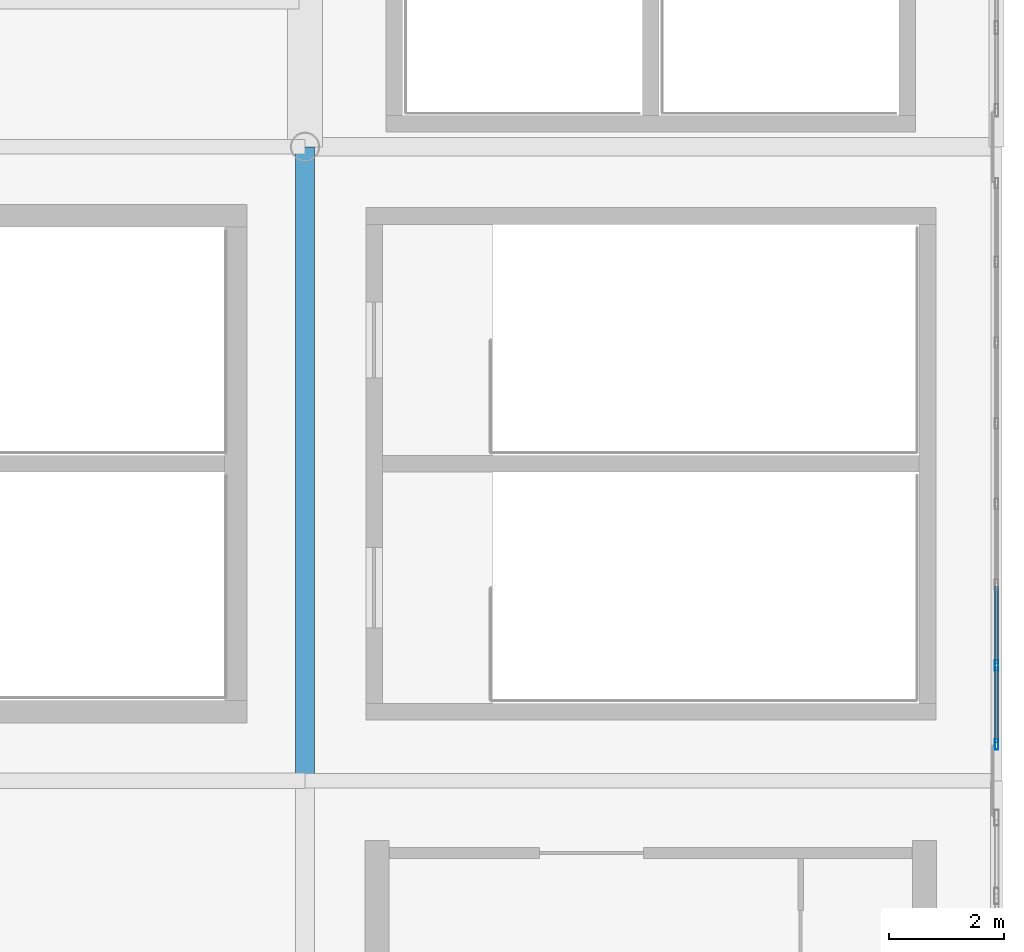
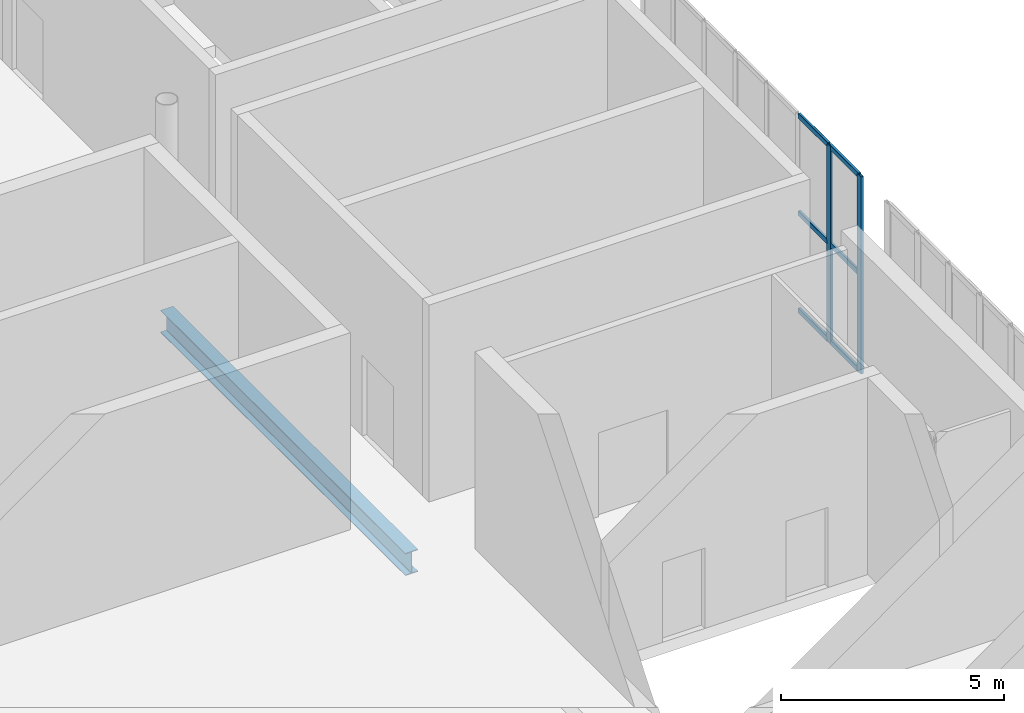
# One storey, part 38 of 74: 8 members, 1 beam, 1 element without a shape of its own.
"""IFC4 building model written with IfcOpenShell, lengths in metres."""

import ifcopenshell
import ifcopenshell.guid

model = None  # the IFC model being written
_history = None  # IfcOwnerHistory: only IFC2X3 demands one
_inside = {}  # id of a spatial element -> (the spatial element, [elements in it])
_under = {}  # id of a project, library or spatial element -> (it, [spatial elements below it])
_declared = {}  # id of a project -> (the project, [libraries it declares])
_typed = {}  # id of a type object -> (the type object, [elements of that type])
_made_of = {}  # id of a material, layer set ... -> (it, [elements and type objects made of it])


def new_model(schema):
    """Start an empty IFC model of exactly this schema.

    Asked for "IFC4X3", IfcOpenShell would pick the latest addendum, in which some entities
    have other attributes; the version numbers below select the first issue.
    IFC2X3 requires an IfcOwnerHistory on every rooted entity: one is made here for all.
    """
    global model, _history
    if schema == "IFC4X3":
        model = ifcopenshell.file(schema_version=(4, 3, 0, 0))
    else:
        model = ifcopenshell.file(schema=schema)
    _inside.clear()
    _under.clear()
    _declared.clear()
    _typed.clear()
    _made_of.clear()
    _history = None
    if model.schema == "IFC2X3":
        org = make("IfcOrganization", Name="unknown")
        user = make(
            "IfcPersonAndOrganization",
            ThePerson=make("IfcPerson", FamilyName="unknown"),
            TheOrganization=org,
        )
        app = make(
            "IfcApplication",
            ApplicationDeveloper=org,
            Version="unknown",
            ApplicationFullName="unknown",
            ApplicationIdentifier="unknown",
        )
        _history = make(
            "IfcOwnerHistory",
            OwningUser=user,
            OwningApplication=app,
            ChangeAction="ADDED",
            CreationDate=0,
        )
    return model


def make(cls, **values):
    """One entity of the class cls with the attributes given. An attribute that is None is left unset."""
    return model.create_entity(
        cls, **{name: value for name, value in values.items() if value is not None}
    )


def rooted(cls, **values):
    """An entity with a GlobalId (a new one), such as an element, a storey or a relation."""
    return make(cls, GlobalId=ifcopenshell.guid.new(), OwnerHistory=_history, **values)


def si_unit(unit_type, name, prefix=None):
    """IfcSIUnit, for example si_unit("LENGTHUNIT", "METRE", prefix="MILLI")."""
    return make("IfcSIUnit", UnitType=unit_type, Prefix=prefix, Name=name)


def assignment(units):
    """IfcUnitAssignment: the units of a project."""
    return None if units is None else make("IfcUnitAssignment", Units=units)


def point(xyz):
    """IfcCartesianPoint."""
    return None if xyz is None else make("IfcCartesianPoint", Coordinates=xyz)


def direction(xyz):
    """IfcDirection."""
    return None if xyz is None else make("IfcDirection", DirectionRatios=xyz)


def frame(location, z_axis=None, x_axis=None):
    """IfcAxis2Placement3D, a coordinate frame: its origin and axes. An axis left out is left unset."""
    return make(
        "IfcAxis2Placement3D",
        Location=point(location),
        Axis=direction(z_axis),
        RefDirection=direction(x_axis),
    )


def frame_2d(location, x_axis=None):
    """IfcAxis2Placement2D, a coordinate frame in the plane: its origin and x axis."""
    return make(
        "IfcAxis2Placement2D", Location=point(location), RefDirection=direction(x_axis)
    )


def origin():
    """The frame at (0, 0, 0) with its axes left unset."""
    return frame((0.0, 0.0, 0.0))


def origin_2d():
    """The frame at (0, 0) in the plane with its x axis left unset."""
    return frame_2d((0.0, 0.0))


def place(relative_to, where):
    """IfcLocalPlacement: puts the frame where relative to a parent placement (None: the world)."""
    return make(
        "IfcLocalPlacement", PlacementRelTo=relative_to, RelativePlacement=where
    )


def context(
    kind, dimensions, precision=None, world=None, true_north=None, identifier=None
):
    """IfcGeometricRepresentationContext, for example the 3D "Model" context."""
    return make(
        "IfcGeometricRepresentationContext",
        ContextIdentifier=identifier,
        ContextType=kind,
        CoordinateSpaceDimension=dimensions,
        Precision=precision,
        WorldCoordinateSystem=world,
        TrueNorth=true_north,
    )


def subcontext(parent, identifier, kind, view, scale=None):
    """IfcGeometricRepresentationSubContext, for example "Body" below "Model"."""
    return make(
        "IfcGeometricRepresentationSubContext",
        ContextIdentifier=identifier,
        ContextType=kind,
        ParentContext=parent,
        TargetScale=scale,
        TargetView=view,
    )


def project(units=None, contexts=None):
    """IfcProject with its units and contexts."""
    return rooted(
        "IfcProject",
        Name="project",
        RepresentationContexts=contexts,
        UnitsInContext=assignment(units),
    )


def spatial(cls, under=None, at=None, **own):
    """A site, building, storey or space (cls), placed at a placement, below another one or the project."""
    s = rooted(cls, ObjectPlacement=at, **own)
    if under is not None:
        _under.setdefault(under.id(), (under, []))[1].append(s)
    return s


def profile(cls, at=None, kind="AREA", **sizes):
    """A parametric profile (cls). Its sizes go by their IFC names, for example OverallWidth=200.0."""
    return make(cls, ProfileType=kind, Position=at, **sizes)


def hollow_rectangle(**sizes):
    """IfcRectangleHollowProfileDef."""
    return profile("IfcRectangleHollowProfileDef", **sizes)


def i_section(**sizes):
    """IfcIShapeProfileDef."""
    return profile("IfcIShapeProfileDef", **sizes)


def extrude(swept, where, along, depth):
    """IfcExtrudedAreaSolid: the profile swept, set in the frame where, extruded along a direction by depth."""
    return make(
        "IfcExtrudedAreaSolid",
        SweptArea=swept,
        Position=where,
        ExtrudedDirection=direction(along),
        Depth=depth,
    )


def shape(context_of_items, identifier, shape_type, items):
    """IfcShapeRepresentation: the items that make up one representation, for example the "Body"."""
    return make(
        "IfcShapeRepresentation",
        ContextOfItems=context_of_items,
        RepresentationIdentifier=identifier,
        RepresentationType=shape_type,
        Items=items,
    )


def material(Name=None, Category=None):
    """IfcMaterial."""
    return make("IfcMaterial", Name=Name, Category=Category)


def layer(
    of_material, thickness, ventilated=None, Name=None, Category=None, Priority=None
):
    """IfcMaterialLayer: one layer of a wall or slab, of a material (None: an air gap)."""
    return make(
        "IfcMaterialLayer",
        Material=of_material,
        LayerThickness=thickness,
        IsVentilated=ventilated,
        Name=Name,
        Category=Category,
        Priority=Priority,
    )


def layer_set(layers, Name=None):
    """IfcMaterialLayerSet."""
    return make("IfcMaterialLayerSet", MaterialLayers=layers, LayerSetName=Name)


def material_profile(
    of_material, cross_section, Name=None, Category=None, Priority=None
):
    """IfcMaterialProfile: a cross section and its material."""
    return make(
        "IfcMaterialProfile",
        Name=Name,
        Material=of_material,
        Profile=cross_section,
        Priority=Priority,
        Category=Category,
    )


def profile_set(profiles, Name=None, composite=None):
    """IfcMaterialProfileSet."""
    return make(
        "IfcMaterialProfileSet",
        Name=Name,
        MaterialProfiles=profiles,
        CompositeProfile=composite,
    )


def made_of(thing, what):
    """Note that an element or type object is made of a material, layer set ...; save() writes the relation."""
    if what is not None:
        _made_of.setdefault(what.id(), (what, []))[1].append(thing)
    return thing


def type_object(cls, material=None, **own):
    """A type object (cls), such as IfcWallType, which elements share."""
    return made_of(rooted(cls, **own), material)


def element(
    cls,
    number,
    at=None,
    inside=None,
    cuts=None,
    type_object=None,
    material=None,
    context=None,
    identifier="Body",
    shape_type=None,
    held_by="IfcProductDefinitionShape",
    body=None,
    shapes=None,
    **own,
):
    """One element of the class cls, such as IfcWall. Its Tag is "e" and its number.

    at: its placement. inside: the storey or other place that contains it. cuts: it is an
    opening in that element (IfcRelVoidsElement). A single representation is given by context,
    identifier, shape_type and body (its items); several are given by shapes. held_by: the class
    of the entity that holds the representations. save() writes the other relations.
    """
    e = rooted(cls, Tag="e%d" % number, ObjectPlacement=at, **own)
    if body is not None:
        shapes = [shape(context, identifier, shape_type, body)]
    if shapes is not None:
        e.Representation = make(held_by, Representations=shapes)
    if inside is not None:
        _inside.setdefault(inside.id(), (inside, []))[1].append(e)
    if cuts is not None:
        rooted(
            "IfcRelVoidsElement", RelatingBuildingElement=cuts, RelatedOpeningElement=e
        )
    if type_object is not None:
        _typed.setdefault(type_object.id(), (type_object, []))[1].append(e)
    return made_of(e, material)


def aggregate(whole, parts):
    """IfcRelAggregates: a whole, such as a stair, and the parts it consists of."""
    return rooted("IfcRelAggregates", RelatingObject=whole, RelatedObjects=parts)


def save(model, path):
    """Write the relations noted so far, then the file.

    IfcRelAggregates (storeys below a building ...), IfcRelContainedInSpatialStructure (elements
    in a storey), IfcRelDefinesByType, IfcRelAssociatesMaterial and IfcRelDeclares: one each for
    every whole, place, type object, material and project.
    """
    for whole, parts in _under.values():
        aggregate(whole, parts)
    for where, things in _inside.values():
        rooted(
            "IfcRelContainedInSpatialStructure",
            RelatedElements=things,
            RelatingStructure=where,
        )
    for kind, things in _typed.values():
        rooted("IfcRelDefinesByType", RelatedObjects=things, RelatingType=kind)
    for what, things in _made_of.values():
        rooted("IfcRelAssociatesMaterial", RelatedObjects=things, RelatingMaterial=what)
    for by, libraries in _declared.values():
        rooted("IfcRelDeclares", RelatingContext=by, RelatedDefinitions=libraries)
    model.write(path)


model = new_model("IFC4")

# Units and contexts
model_context = context("Model", 3, precision=1e-05, world=origin(), true_north=direction((0.0, 1.0)))
body_context = subcontext(model_context, "Body", "Model", "MODEL_VIEW")
ifc_project = project(units=[si_unit("LENGTHUNIT", "METRE"), si_unit("AREAUNIT", "SQUARE_METRE"), si_unit("VOLUMEUNIT", "CUBIC_METRE"), si_unit("PLANEANGLEUNIT", "RADIAN"), si_unit("MASSUNIT", "GRAM", prefix="KILO")], contexts=[model_context])

# Site, building, storey
site_placement = place(None, origin())
site = spatial("IfcSite", under=ifc_project, at=site_placement, CompositionType="ELEMENT")
building_placement = place(site_placement, origin())
building = spatial("IfcBuilding", under=site, at=building_placement, Name="Brinegate Civic Arena", CompositionType="ELEMENT")
storey_placement = place(building_placement, frame((0.0, 0.0, 19.199951171875)))
storey = spatial("IfcBuildingStorey", under=building, at=storey_placement, Name="L04", CompositionType="ELEMENT", Elevation=19.199951171875)

# Curtain wall, members
ifc_material_1 = material(Name="Marine grade aluminium", Category="aluminium")
ifc_layer = layer(ifc_material_1, 0.199951171875, Name="Marine grade aluminium")
ifc_layer_set = layer_set([ifc_layer], Name="Marine grade aluminium")
curtain_wall_type = type_object("IfcCurtainWallType", Name="CW-BOWL-GLAZED-01", PredefinedType="USERDEFINED", material=ifc_layer_set)
curtain_wall_placement = place(storey_placement, origin())
curtain_wall = element("IfcCurtainWall", 1, at=curtain_wall_placement, inside=storey, type_object=curtain_wall_type, Name="Curtain Wall CWA-142", ObjectType="GLAZED CURTAIN WALL", PredefinedType="USERDEFINED")
ifc_material_profile_1 = material_profile(ifc_material_1, hollow_rectangle(XDim=0.06494140625, YDim=0.179931640625, WallThickness=0.0048828125, InnerFilletRadius=0.00390625, OuterFilletRadius=0.008056640625, at=origin_2d()), Name="MUL65X180")
ifc_profile_set_1 = profile_set([ifc_material_profile_1], Name="Marine grade aluminium")
member_type_1 = type_object("IfcMemberType", Name="CW-MULLION-65X180", PredefinedType="MULLION", material=ifc_profile_set_1)
member_1_placement = place(storey_placement, frame((168.0, 93.632568359375, 0.0), z_axis=(0.0, 0.0, 1.0), x_axis=(-1.0, 0.0, 0.0)))
member_1 = element("IfcMember", 2, at=member_1_placement, type_object=member_type_1, Name="CWA-142 mullion 1", PredefinedType="MULLION", context=body_context, shape_type="SweptSolid", body=[
    extrude(hollow_rectangle(XDim=0.06494140625, YDim=0.179931640625, WallThickness=0.0048828125, InnerFilletRadius=0.00390625, OuterFilletRadius=0.008056640625, at=origin_2d()), origin(), (0.0, 0.0, 1.0), 5.400146484375),
])
member_2_placement = place(storey_placement, frame((168.0, 95.0, 0.0), z_axis=(0.0, 0.0, 1.0), x_axis=(-1.0, 0.0, 0.0)))
member_2 = element("IfcMember", 3, at=member_2_placement, type_object=member_type_1, Name="CWA-142 mullion 2", PredefinedType="MULLION", context=body_context, shape_type="SweptSolid", body=[
    extrude(hollow_rectangle(XDim=0.06494140625, YDim=0.179931640625, WallThickness=0.0048828125, InnerFilletRadius=0.00390625, OuterFilletRadius=0.008056640625, at=origin_2d()), origin(), (0.0, 0.0, 1.0), 5.400146484375),
])
ifc_material_profile_2 = material_profile(ifc_material_1, hollow_rectangle(XDim=0.06494140625, YDim=0.139892578125, WallThickness=0.0048828125, InnerFilletRadius=0.00390625, OuterFilletRadius=0.008056640625, at=origin_2d()), Name="TRN65X140")
ifc_profile_set_2 = profile_set([ifc_material_profile_2], Name="Marine grade aluminium")
member_type_2 = type_object("IfcMemberType", Name="CW-TRANSOM-65X140", PredefinedType="USERDEFINED", material=ifc_profile_set_2)
member_3_placement = place(storey_placement, frame((168.0, 93.6650390625, 0.032470703125), z_axis=(0.0, 1.0, 0.0), x_axis=(-1.0, 0.0, 0.0)))
member_3 = element("IfcMember", 4, at=member_3_placement, type_object=member_type_2, Name="CWA-142 transom 1.1", ObjectType="TRANSOM", PredefinedType="USERDEFINED", context=body_context, shape_type="SweptSolid", body=[
    extrude(hollow_rectangle(XDim=0.06494140625, YDim=0.139892578125, WallThickness=0.0048828125, InnerFilletRadius=0.00390625, OuterFilletRadius=0.008056640625, at=origin_2d()), origin(), (0.0, 0.0, 1.0), 1.302490234375),
])
member_4_placement = place(storey_placement, frame((168.0, 93.6650390625, 2.699951171875), z_axis=(0.0, 1.0, 0.0), x_axis=(-1.0, 0.0, 0.0)))
member_4 = element("IfcMember", 5, at=member_4_placement, type_object=member_type_2, Name="CWA-142 transom 1.2", ObjectType="TRANSOM", PredefinedType="USERDEFINED", context=body_context, shape_type="SweptSolid", body=[
    extrude(hollow_rectangle(XDim=0.06494140625, YDim=0.139892578125, WallThickness=0.0048828125, InnerFilletRadius=0.00390625, OuterFilletRadius=0.008056640625, at=origin_2d()), origin(), (0.0, 0.0, 1.0), 1.302490234375),
])
member_5_placement = place(storey_placement, frame((168.0, 93.6650390625, 5.367431640625), z_axis=(0.0, 1.0, 0.0), x_axis=(-1.0, 0.0, 0.0)))
member_5 = element("IfcMember", 6, at=member_5_placement, type_object=member_type_2, Name="CWA-142 transom 1.3", ObjectType="TRANSOM", PredefinedType="USERDEFINED", context=body_context, shape_type="SweptSolid", body=[
    extrude(hollow_rectangle(XDim=0.06494140625, YDim=0.139892578125, WallThickness=0.0048828125, InnerFilletRadius=0.00390625, OuterFilletRadius=0.008056640625, at=origin_2d()), origin(), (0.0, 0.0, 1.0), 1.302490234375),
])
member_6_placement = place(storey_placement, frame((168.0, 95.032470703125, 0.032470703125), z_axis=(0.0, 1.0, 0.0), x_axis=(-1.0, 0.0, 0.0)))
member_6 = element("IfcMember", 7, at=member_6_placement, type_object=member_type_2, Name="CWA-142 transom 2.1", ObjectType="TRANSOM", PredefinedType="USERDEFINED", context=body_context, shape_type="SweptSolid", body=[
    extrude(hollow_rectangle(XDim=0.06494140625, YDim=0.139892578125, WallThickness=0.0048828125, InnerFilletRadius=0.00390625, OuterFilletRadius=0.008056640625, at=origin_2d()), origin(), (0.0, 0.0, 1.0), 1.3349609375),
])
member_7_placement = place(storey_placement, frame((168.0, 95.032470703125, 2.699951171875), z_axis=(0.0, 1.0, 0.0), x_axis=(-1.0, 0.0, 0.0)))
member_7 = element("IfcMember", 8, at=member_7_placement, type_object=member_type_2, Name="CWA-142 transom 2.2", ObjectType="TRANSOM", PredefinedType="USERDEFINED", context=body_context, shape_type="SweptSolid", body=[
    extrude(hollow_rectangle(XDim=0.06494140625, YDim=0.139892578125, WallThickness=0.0048828125, InnerFilletRadius=0.00390625, OuterFilletRadius=0.008056640625, at=origin_2d()), origin(), (0.0, 0.0, 1.0), 1.3349609375),
])
member_8_placement = place(storey_placement, frame((168.0, 95.032470703125, 5.367431640625), z_axis=(0.0, 1.0, 0.0), x_axis=(-1.0, 0.0, 0.0)))
member_8 = element("IfcMember", 9, at=member_8_placement, type_object=member_type_2, Name="CWA-142 transom 2.3", ObjectType="TRANSOM", PredefinedType="USERDEFINED", context=body_context, shape_type="SweptSolid", body=[
    extrude(hollow_rectangle(XDim=0.06494140625, YDim=0.139892578125, WallThickness=0.0048828125, InnerFilletRadius=0.00390625, OuterFilletRadius=0.008056640625, at=origin_2d()), origin(), (0.0, 0.0, 1.0), 1.3349609375),
])
aggregate(curtain_wall, [member_1, member_2, member_3, member_4, member_5, member_6, member_7, member_8])

# Beam
ifc_material_2 = material(Name="Steel S355", Category="steel")
ifc_material_profile_3 = material_profile(ifc_material_2, i_section(OverallWidth=0.324951171875, OverallDepth=0.615966796875, WebThickness=0.013916015625, FlangeThickness=0.02197265625, FilletRadius=0.01611328125, at=origin_2d()), Name="W610X174")
ifc_profile_set_3 = profile_set([ifc_material_profile_3], Name="Steel S355")
beam_type = type_object("IfcBeamType", Name="GIRDER-W610X174", PredefinedType="BEAM", material=ifc_profile_set_3)
beam_placement = place(storey_placement, frame((156.0, 93.0, -0.64794921875), z_axis=(0.0, 1.0, 0.0), x_axis=(-1.0, 0.0, 0.0)))
element("IfcBeam", 10, at=beam_placement, inside=storey, type_object=beam_type, Name="Floor Girder BM-L04-GY-13-09", PredefinedType="BEAM", context=body_context, shape_type="SweptSolid", body=[
    extrude(i_section(OverallWidth=0.324951171875, OverallDepth=0.615966796875, WebThickness=0.013916015625, FlangeThickness=0.02197265625, FilletRadius=0.01611328125, at=origin_2d()), origin(), (0.0, 0.0, 1.0), 11.0),
])

save(model, "model.ifc")
